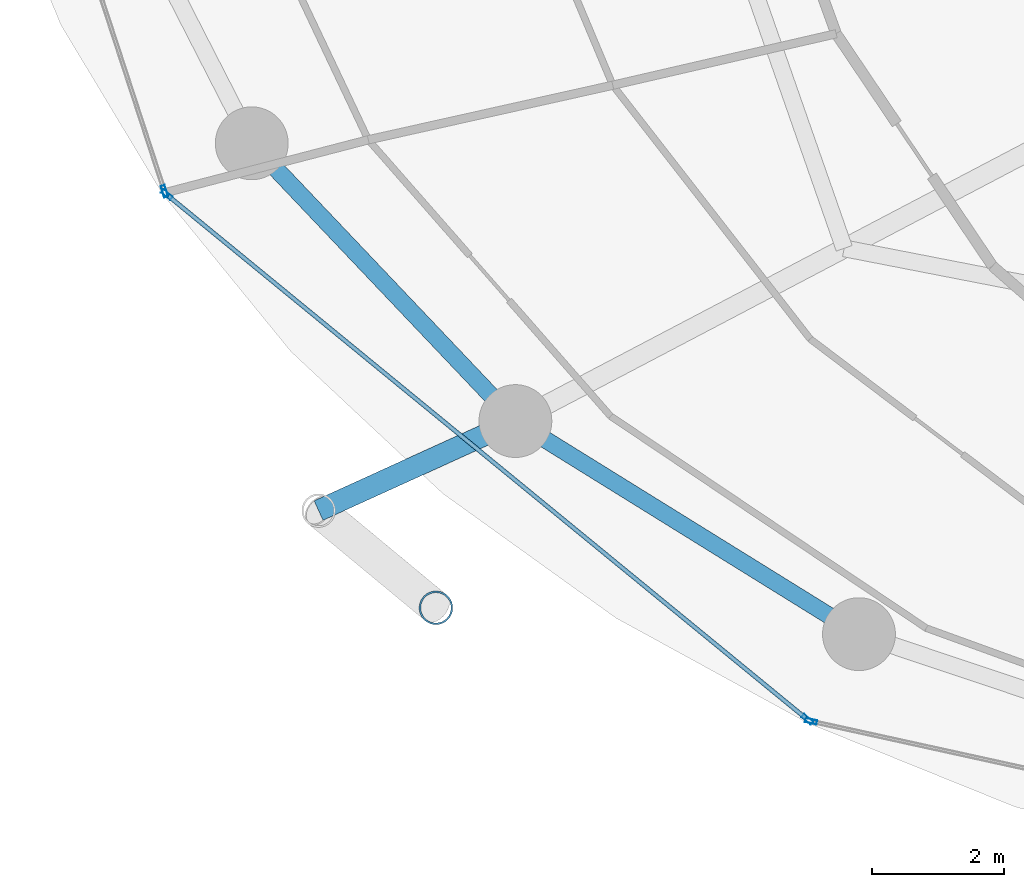
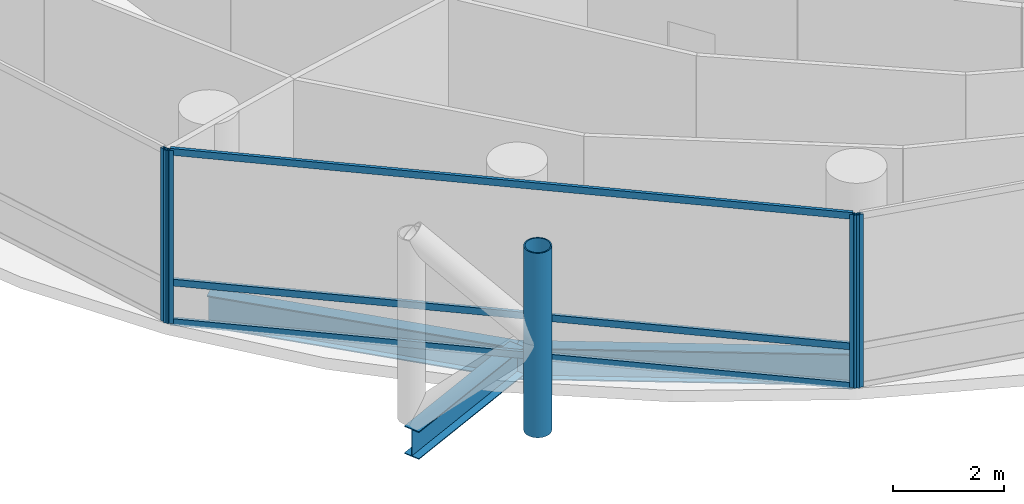
# One storey, part 2 of 26: 8 members, 3 beams, 3 elements without a shape of their own.
"""IFC4 building model written with IfcOpenShell, lengths in metres."""

from ifc_helpers import new_model, si_unit, direction, frame, origin, origin_2d, place, context, subcontext, project, spatial, hollow_rectangle, hollow_circle, i_section, extrude, material, layer, layer_set, material_profile, profile_set, type_object, element, aggregate, save


model = new_model("IFC4")

# Units and contexts
model_context = context("Model", 3, precision=1e-05, world=origin(), true_north=direction((0.0, 1.0)))
body_context = subcontext(model_context, "Body", "Model", "MODEL_VIEW")
ifc_project = project(units=[si_unit("LENGTHUNIT", "METRE"), si_unit("AREAUNIT", "SQUARE_METRE"), si_unit("VOLUMEUNIT", "CUBIC_METRE"), si_unit("PLANEANGLEUNIT", "RADIAN"), si_unit("MASSUNIT", "GRAM", prefix="KILO")], contexts=[model_context])

# Site, building, storey
site_placement = place(None, origin())
site = spatial("IfcSite", under=ifc_project, at=site_placement, CompositionType="ELEMENT")
building_placement = place(site_placement, origin())
building = spatial("IfcBuilding", under=site, at=building_placement, Name="Nuhasar Tower", CompositionType="ELEMENT")
storey_placement = place(building_placement, frame((0.0, 0.0, 97.949951171875)))
storey = spatial("IfcBuildingStorey", under=building, at=storey_placement, Name="L23", CompositionType="ELEMENT", Elevation=97.949951171875)

# Beams
ifc_material_1 = material(Name="Steel S355", Category="steel")
ifc_material_profile_1 = material_profile(ifc_material_1, i_section(OverallWidth=0.256103515625, OverallDepth=0.693115234375, WebThickness=0.014404296875, FlangeThickness=0.023681640625, at=origin_2d()), Name="W27X114")
ifc_profile_set_1 = profile_set([ifc_material_profile_1], Name="Steel S355")
beam_type_1 = type_object("IfcBeamType", Name="BM-RING-W27X114", PredefinedType="SPANDREL", material=ifc_profile_set_1)
beam_1_placement = place(storey_placement, frame((17.305908203125, 16.675048828125, -0.596923828125), z_axis=(0.688459812429, -0.725274490569, 0.0), x_axis=(0.725274490569, 0.688459812429, 0.0)))
element("IfcBeam", 1, at=beam_1_placement, inside=storey, type_object=beam_type_1, Name="L23 Perimeter Ring Spandrel 15", PredefinedType="SPANDREL", context=body_context, shape_type="SweptSolid", body=[
    extrude(i_section(OverallWidth=0.256103515625, OverallDepth=0.693115234375, WebThickness=0.014404296875, FlangeThickness=0.023681640625, at=origin_2d()), origin(), (0.0, 0.0, 1.0), 5.78271484375),
])
beam_2_placement = place(storey_placement, frame((21.287109375, 12.48095703125, -0.596923828125), z_axis=(0.849795216549, -0.527112976439, 0.0), x_axis=(0.527112976439, 0.849795216549, 0.0)))
element("IfcBeam", 2, at=beam_2_placement, inside=storey, type_object=beam_type_1, Name="L23 Perimeter Ring Spandrel 16", PredefinedType="SPANDREL", context=body_context, shape_type="SweptSolid", body=[
    extrude(i_section(OverallWidth=0.256103515625, OverallDepth=0.693115234375, WebThickness=0.014404296875, FlangeThickness=0.023681640625, at=origin_2d()), origin(), (0.0, 0.0, 1.0), 6.10498046875),
])
ifc_material_profile_2 = material_profile(ifc_material_1, i_section(OverallWidth=0.323974609375, OverallDepth=0.611083984375, WebThickness=0.0126953125, FlangeThickness=0.01904296875, at=origin_2d()), Name="W24X104")
ifc_profile_set_2 = profile_set([ifc_material_profile_2], Name="Steel S355")
beam_type_2 = type_object("IfcBeamType", Name="BM-TIE-W24X104", PredefinedType="BEAM", material=ifc_profile_set_2)
beam_3_placement = place(storey_placement, frame((21.287109375, 12.48095703125, -0.554931640625), z_axis=(-0.910243528587, -0.414073325227, 0.0), x_axis=(0.414073325227, -0.910243528587, 0.0)))
element("IfcBeam", 3, at=beam_3_placement, inside=storey, type_object=beam_type_2, Name="L23 Exoskeleton Node Tie Beam 08", PredefinedType="BEAM", context=body_context, shape_type="SweptSolid", body=[
    extrude(i_section(OverallWidth=0.323974609375, OverallDepth=0.611083984375, WebThickness=0.0126953125, FlangeThickness=0.01904296875, at=origin_2d()), origin(), (0.0, 0.0, 1.0), 3.26513671875),
])

# Curtain wall, member
ifc_material_2 = material(Name="Aluminium 6063-T6", Category="aluminium")
ifc_layer = layer(ifc_material_2, 0.199951171875)
ifc_layer_set = layer_set([ifc_layer], Name="Aluminium 6063-T6")
curtain_wall_type = type_object("IfcCurtainWallType", Name="CW-Z1-OFF", PredefinedType="NOTDEFINED", material=ifc_layer_set)
curtain_wall_1_placement = place(storey_placement, origin())
curtain_wall_1 = element("IfcCurtainWall", 4, at=curtain_wall_1_placement, inside=storey, type_object=curtain_wall_type, Name="L23 Unitised Curtain Wall 07", PredefinedType="NOTDEFINED")
ifc_material_profile_3 = material_profile(ifc_material_2, hollow_rectangle(XDim=0.06494140625, YDim=0.179931640625, WallThickness=0.0048828125, at=origin_2d()), Name="CWM-2")
ifc_profile_set_3 = profile_set([ifc_material_profile_3], Name="Aluminium 6063-T6")
member_type_1 = type_object("IfcMemberType", Name="CW-MUL-S2", PredefinedType="MULLION", material=ifc_profile_set_3)
member_1_placement = place(storey_placement, frame((15.98779296875, 15.950927734375, 0.0), z_axis=(0.0, 0.0, 1.0), x_axis=(0.950467534571, 0.310823849997, 0.0)))
member_1 = element("IfcMember", 5, at=member_1_placement, type_object=member_type_1, Name="CW-Z1 mullion 2", PredefinedType="MULLION", context=body_context, shape_type="SweptSolid", body=[
    extrude(hollow_rectangle(XDim=0.06494140625, YDim=0.179931640625, WallThickness=0.0048828125, at=origin_2d()), origin(), (0.0, 0.0, 1.0), 3.800048828125),
])
aggregate(curtain_wall_1, [member_1])

# Curtain wall, members
curtain_wall_2_placement = place(storey_placement, origin())
curtain_wall_2 = element("IfcCurtainWall", 6, at=curtain_wall_2_placement, inside=storey, type_object=curtain_wall_type, Name="L23 Unitised Curtain Wall 08", PredefinedType="NOTDEFINED")
member_2_placement = place(storey_placement, frame((16.023193359375, 15.8994140625, 0.0), z_axis=(0.0, 0.0, 1.0), x_axis=(0.633744593376, 0.773542364946, 0.0)))
member_2 = element("IfcMember", 7, at=member_2_placement, type_object=member_type_1, Name="CW-Z1 mullion 1", PredefinedType="MULLION", context=body_context, shape_type="SweptSolid", body=[
    extrude(hollow_rectangle(XDim=0.06494140625, YDim=0.179931640625, WallThickness=0.0048828125, at=origin_2d()), origin(), (0.0, 0.0, 1.0), 3.800048828125),
])
member_3_placement = place(storey_placement, frame((25.69482421875, 7.9755859375, 0.0), z_axis=(0.0, 0.0, 1.0), x_axis=(0.633744593376, 0.773542364946, 0.0)))
member_3 = element("IfcMember", 8, at=member_3_placement, type_object=member_type_1, Name="CW-Z1 mullion 2", PredefinedType="MULLION", context=body_context, shape_type="SweptSolid", body=[
    extrude(hollow_rectangle(XDim=0.06494140625, YDim=0.179931640625, WallThickness=0.0048828125, at=origin_2d()), origin(), (0.0, 0.0, 1.0), 3.800048828125),
])

# Curtain wall, member
curtain_wall_3_placement = place(storey_placement, origin())
curtain_wall_3 = element("IfcCurtainWall", 9, at=curtain_wall_3_placement, inside=storey, type_object=curtain_wall_type, Name="L23 Unitised Curtain Wall 09", PredefinedType="NOTDEFINED")
member_4_placement = place(storey_placement, frame((25.751708984375, 7.947998046875, 0.0), z_axis=(0.0, 0.0, 1.0), x_axis=(0.214398737637, 0.976746221544, 0.0)))
member_4 = element("IfcMember", 10, at=member_4_placement, type_object=member_type_1, Name="CW-Z1 mullion 1", PredefinedType="MULLION", context=body_context, shape_type="SweptSolid", body=[
    extrude(hollow_rectangle(XDim=0.06494140625, YDim=0.179931640625, WallThickness=0.0048828125, at=origin_2d()), origin(), (0.0, 0.0, 1.0), 3.800048828125),
])
aggregate(curtain_wall_3, [member_4])

# Member
ifc_material_profile_4 = material_profile(ifc_material_2, hollow_rectangle(XDim=0.06494140625, YDim=0.14990234375, WallThickness=0.00439453125, at=origin_2d()), Name="CWT-2")
ifc_profile_set_4 = profile_set([ifc_material_profile_4], Name="Aluminium 6063-T6")
member_type_2 = type_object("IfcMemberType", Name="CW-TRN-S2", PredefinedType="USERDEFINED", material=ifc_profile_set_4)
member_5_placement = place(storey_placement, frame((16.04833984375, 15.87890625, 0.032470703125), z_axis=(0.773531229158, -0.633758185365, 0.0), x_axis=(0.633758185365, 0.773531229158, 0.0)))
member_5 = element("IfcMember", 11, at=member_5_placement, type_object=member_type_2, Name="CW-Z1 transom 1.1", ObjectType="TRANSOM", PredefinedType="USERDEFINED", context=body_context, shape_type="SweptSolid", body=[
    extrude(hollow_rectangle(XDim=0.06494140625, YDim=0.14990234375, WallThickness=0.00439453125, at=origin_2d()), origin(), (0.0, 0.0, 1.0), 12.438232421875),
])

member_6_placement = place(storey_placement, frame((16.04833984375, 15.87890625, 0.900146484375), z_axis=(0.773531229158, -0.633758185365, 0.0), x_axis=(0.633758185365, 0.773531229158, 0.0)))
member_6 = element("IfcMember", 12, at=member_6_placement, type_object=member_type_2, Name="CW-Z1 transom 1.2", ObjectType="TRANSOM", PredefinedType="USERDEFINED", context=body_context, shape_type="SweptSolid", body=[
    extrude(hollow_rectangle(XDim=0.06494140625, YDim=0.14990234375, WallThickness=0.00439453125, at=origin_2d()), origin(), (0.0, 0.0, 1.0), 12.438232421875),
])

member_7_placement = place(storey_placement, frame((16.04833984375, 15.87890625, 3.767578125), z_axis=(0.773531229158, -0.633758185365, 0.0), x_axis=(0.633758185365, 0.773531229158, 0.0)))
member_7 = element("IfcMember", 13, at=member_7_placement, type_object=member_type_2, Name="CW-Z1 transom 1.3", ObjectType="TRANSOM", PredefinedType="USERDEFINED", context=body_context, shape_type="SweptSolid", body=[
    extrude(hollow_rectangle(XDim=0.06494140625, YDim=0.14990234375, WallThickness=0.00439453125, at=origin_2d()), origin(), (0.0, 0.0, 1.0), 12.438232421875),
])

aggregate(curtain_wall_2, [member_2, member_3, member_5, member_6, member_7])

ifc_material_3 = material(Name="Steel S460", Category="steel")
ifc_material_profile_5 = material_profile(ifc_material_3, hollow_circle(Radius=0.25390625, WallThickness=0.025390625, at=origin_2d()), Name="HSS508X25.4")
ifc_profile_set_5 = profile_set([ifc_material_profile_5], Name="Steel S460")
member_type_3 = type_object("IfcMemberType", Name="EXO-BRONZE-508", PredefinedType="BRACE", material=ifc_profile_set_5)
member_8_placement = place(storey_placement, frame((20.0869140625, 9.660888671875, 0.0), z_axis=(0.0, 0.0, 1.0), x_axis=(1.0, 0.0, 0.0)))
element("IfcMember", 14, at=member_8_placement, inside=storey, type_object=member_type_3, Name="L23 Exoskeleton Chord Column EC-08B", PredefinedType="BRACE", context=body_context, shape_type="SweptSolid", body=[
    extrude(hollow_circle(Radius=0.25390625, WallThickness=0.025390625, at=origin_2d()), origin(), (0.0, 0.0, 1.0), 4.050048828125),
])

save(model, "model.ifc")
